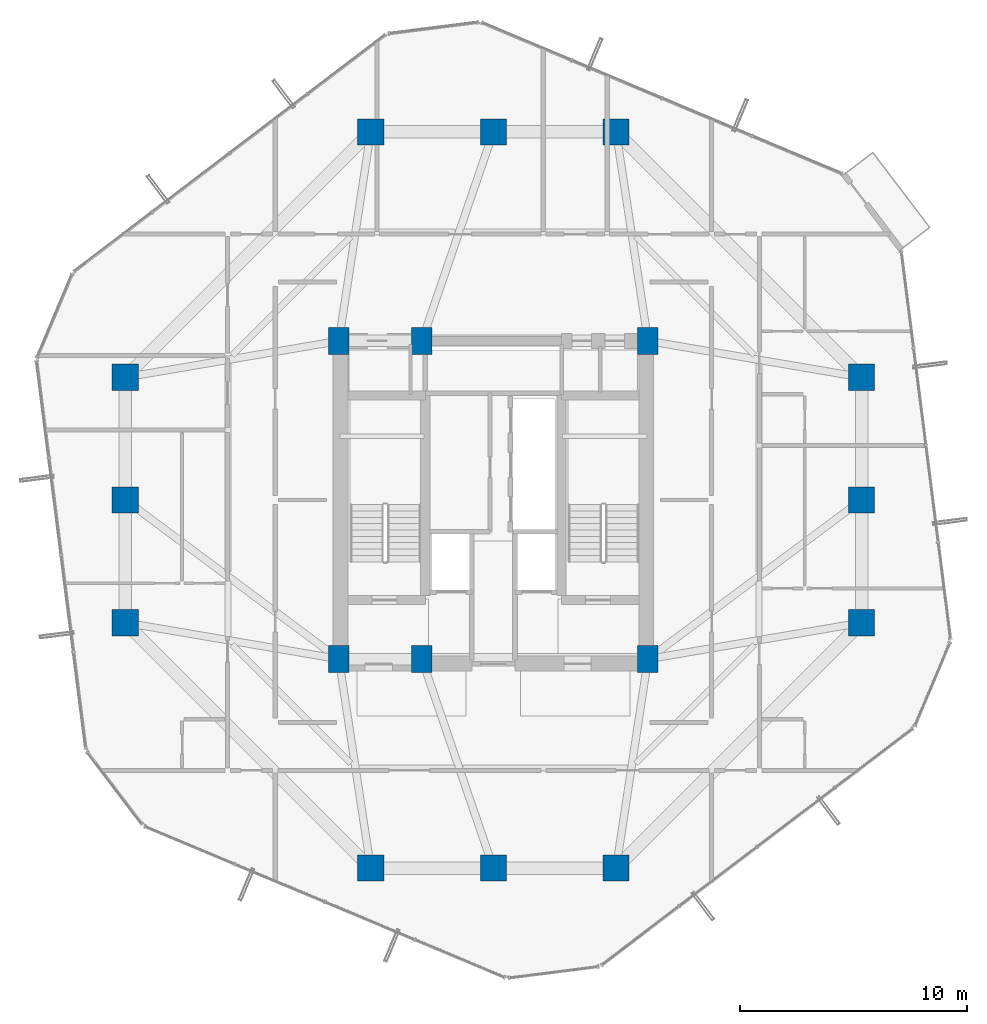
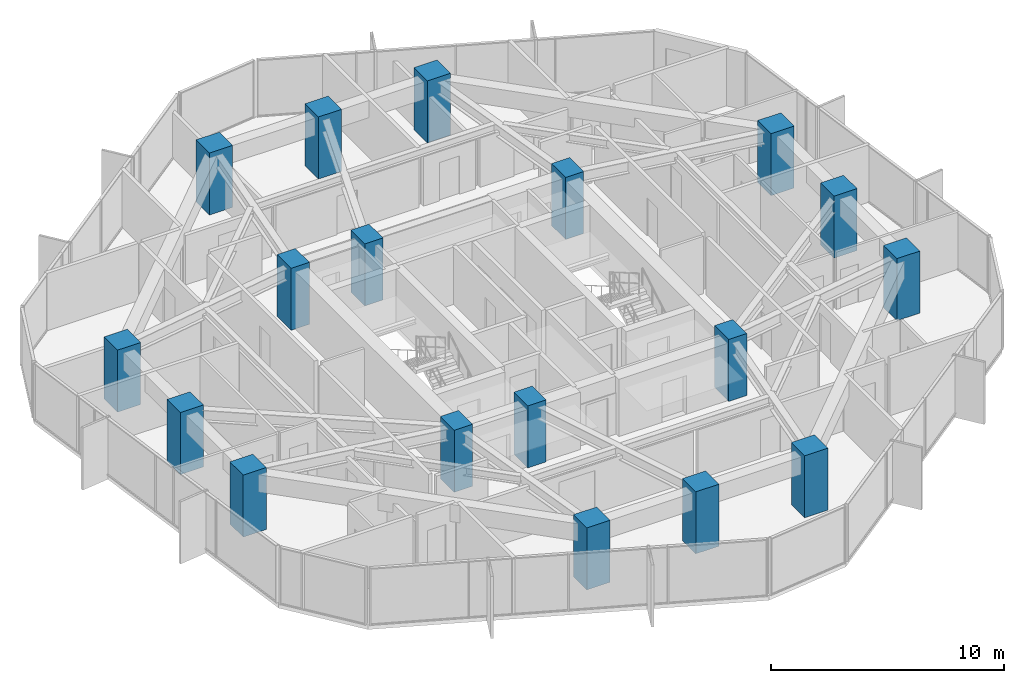
# One storey, part 1 of 33: 18 columns.
"""IFC4 building model written with IfcOpenShell, lengths in metres."""

from ifc_helpers import new_model, si_unit, direction, frame, origin, origin_2d, place, context, subcontext, project, spatial, rectangle, extrude, material, material_profile, profile_set, type_object, element, save


model = new_model("IFC4")

# Units and contexts
model_context = context("Model", 3, precision=1e-05, world=origin(), true_north=direction((0.0, 1.0)))
body_context = subcontext(model_context, "Body", "Model", "MODEL_VIEW")
ifc_project = project(units=[si_unit("LENGTHUNIT", "METRE"), si_unit("AREAUNIT", "SQUARE_METRE"), si_unit("VOLUMEUNIT", "CUBIC_METRE"), si_unit("PLANEANGLEUNIT", "RADIAN"), si_unit("MASSUNIT", "GRAM", prefix="KILO")], contexts=[model_context])

# Site, building, storey
site_placement = place(None, origin())
site = spatial("IfcSite", under=ifc_project, at=site_placement, CompositionType="ELEMENT")
building_placement = place(site_placement, origin())
building = spatial("IfcBuilding", under=site, at=building_placement, Name="Veraguas Prism Commons", CompositionType="ELEMENT")
storey_placement = place(building_placement, frame((0.0, 0.0, 152.25)))
storey = spatial("IfcBuildingStorey", under=building, at=storey_placement, Name="L43", CompositionType="ELEMENT", Elevation=152.25)

# Columns
ifc_material = material(Name="Concrete C60/75", Category="concrete")
ifc_material_profile_1 = material_profile(ifc_material, rectangle(XDim=1.14990234375, YDim=1.14990234375, at=origin_2d()), Name="RC1150X1150")
ifc_profile_set_1 = profile_set([ifc_material_profile_1], Name="Concrete C60/75")
column_type_1 = type_object("IfcColumnType", Name="Column Tube Z2 RC 1150x1150", PredefinedType="COLUMN", material=ifc_profile_set_1)
for number, where, z_axis, x_axis, name in (
    (1, (40.199951171875, 18.60009765625, 0.0), (0.0, 0.0, 1.0), (1.0, 0.0, 0.0), "Tower Perimeter Column L43-TB01"),
    (2, (40.199951171875, 24.0, 0.0), (0.0, 0.0, 1.0), (1.0, 0.0, 0.0), "Tower Perimeter Column L43-TB02"),
    (3, (40.199951171875, 29.39990234375, 0.0), (0.0, 0.0, 1.0), (1.0, 0.0, 0.0), "Tower Perimeter Column L43-TB03"),
    (4, (29.39990234375, 40.199951171875, 0.0), (0.0, 0.0, 1.0), (1.0, 0.0, 0.0), "Tower Perimeter Column L43-TB04"),
    (5, (24.0, 40.199951171875, 0.0), (0.0, 0.0, 1.0), (1.0, 0.0, 0.0), "Tower Perimeter Column L43-TB05"),
    (6, (18.60009765625, 40.199951171875, 0.0), (0.0, 0.0, 1.0), (1.0, 0.0, 0.0), "Tower Perimeter Column L43-TB06"),
    (7, (7.800048828125, 29.39990234375, 0.0), (0.0, 0.0, 1.0), (1.0, 0.0, 0.0), "Tower Perimeter Column L43-TB07"),
    (8, (7.800048828125, 24.0, 0.0), (0.0, 0.0, 1.0), (1.0, 0.0, 0.0), "Tower Perimeter Column L43-TB08"),
    (9, (7.800048828125, 18.60009765625, 0.0), (0.0, 0.0, 1.0), (1.0, 0.0, 0.0), "Tower Perimeter Column L43-TB09"),
    (10, (18.60009765625, 7.800048828125, 0.0), (0.0, 0.0, 1.0), (1.0, 0.0, 0.0), "Tower Perimeter Column L43-TB10"),
    (11, (24.0, 7.800048828125, 0.0), (0.0, 0.0, 1.0), (1.0, 0.0, 0.0), "Tower Perimeter Column L43-TB11"),
    (12, (29.39990234375, 7.800048828125, 0.0), (0.0, 0.0, 1.0), (1.0, 0.0, 0.0), "Tower Perimeter Column L43-TB12"),
):
    element("IfcColumn", number, at=place(storey_placement, frame(where, z_axis=z_axis, x_axis=x_axis)), inside=storey, type_object=column_type_1, Name=name, PredefinedType="COLUMN", context=body_context, shape_type="SweptSolid", body=[
        extrude(rectangle(XDim=1.14990234375, YDim=1.14990234375, at=origin_2d()), origin(), (0.0, 0.0, 1.0), 3.25),
    ])
ifc_material_profile_2 = material_profile(ifc_material, rectangle(XDim=0.89990234375, YDim=1.199951171875, at=origin_2d()), Name="RC900X1200")
ifc_profile_set_2 = profile_set([ifc_material_profile_2], Name="Concrete C60/75")
column_type_2 = type_object("IfcColumnType", Name="Pilaster Core Lower RC 900x1200", PredefinedType="PILASTER", material=ifc_profile_set_2)
for number, where, z_axis, x_axis, name in (
    (13, (17.199951171875, 17.0, 0.0), (0.0, 0.0, 1.0), (1.0, 0.0, 0.0), "Core Pilaster Column L43-CR1"),
    (14, (20.85009765625, 17.0, 0.0), (0.0, 0.0, 1.0), (1.0, 0.0, 0.0), "Core Pilaster Column L43-CR2"),
    (15, (30.800048828125, 17.0, 0.0), (0.0, 0.0, 1.0), (1.0, 0.0, 0.0), "Core Pilaster Column L43-CR3"),
    (16, (17.199951171875, 31.0, 0.0), (0.0, 0.0, 1.0), (1.0, 0.0, 0.0), "Core Pilaster Column L43-CR4"),
    (17, (20.85009765625, 31.0, 0.0), (0.0, 0.0, 1.0), (1.0, 0.0, 0.0), "Core Pilaster Column L43-CR5"),
    (18, (30.800048828125, 31.0, 0.0), (0.0, 0.0, 1.0), (1.0, 0.0, 0.0), "Core Pilaster Column L43-CR6"),
):
    element("IfcColumn", number, at=place(storey_placement, frame(where, z_axis=z_axis, x_axis=x_axis)), inside=storey, type_object=column_type_2, Name=name, PredefinedType="PILASTER", context=body_context, shape_type="SweptSolid", body=[
        extrude(rectangle(XDim=0.89990234375, YDim=1.199951171875, at=origin_2d()), origin(), (0.0, 0.0, 1.0), 3.25),
    ])

save(model, "model.ifc")
